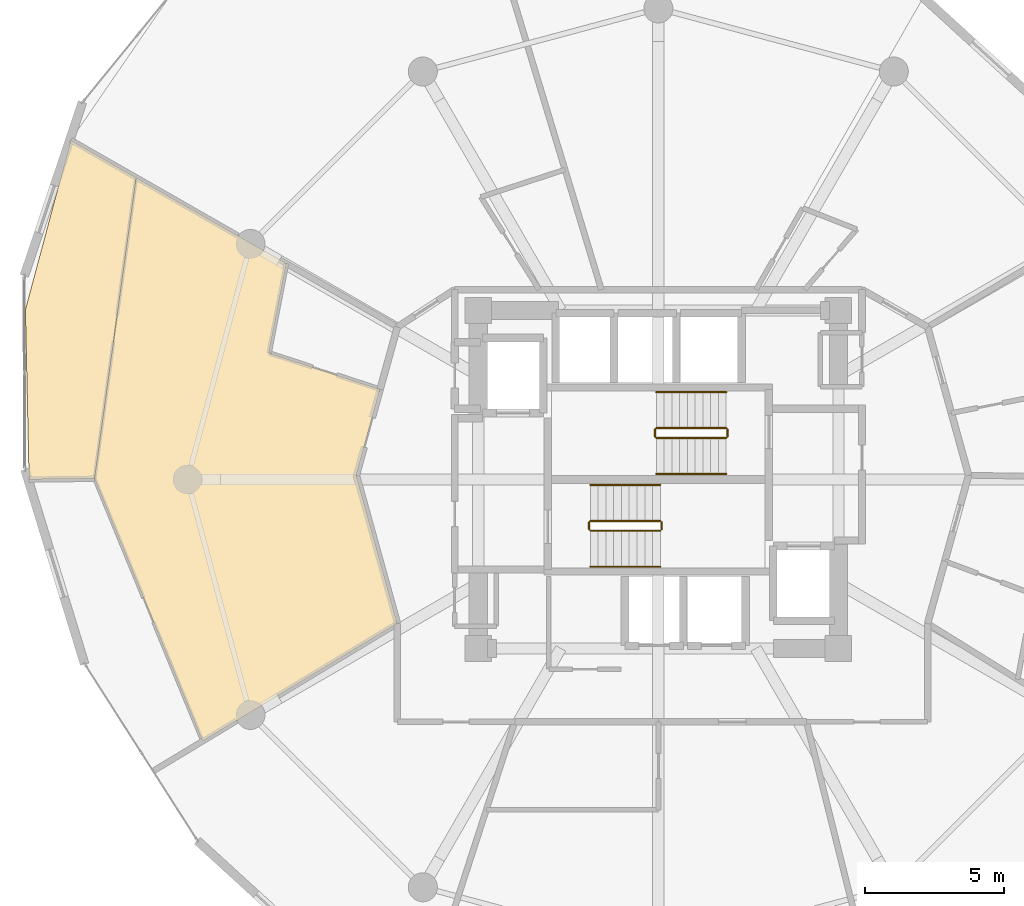
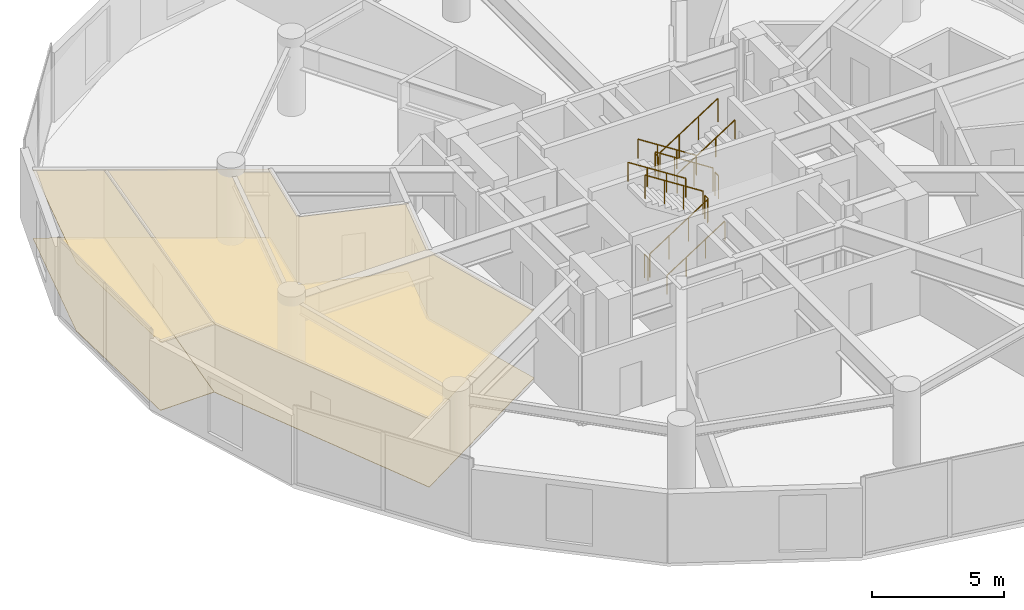
# One storey, part 21 of 22: 12 railings, 4 coverings.
"""IFC4 building model written with IfcOpenShell, lengths in metres."""

from ifc_helpers import new_model, si_unit, direction, frame, origin, origin_2d, place, context, subcontext, project, spatial, polyline, circle, outline, extrude, material, layer, layer_set, type_object, element, save


model = new_model("IFC4")

# Units and contexts
model_context = context("Model", 3, precision=1e-05, world=origin(), true_north=direction((0.0, 1.0)))
body_context = subcontext(model_context, "Body", "Model", "MODEL_VIEW")
ifc_project = project(units=[si_unit("LENGTHUNIT", "METRE"), si_unit("AREAUNIT", "SQUARE_METRE"), si_unit("VOLUMEUNIT", "CUBIC_METRE"), si_unit("PLANEANGLEUNIT", "RADIAN"), si_unit("MASSUNIT", "GRAM", prefix="KILO")], contexts=[model_context])

# Site, building, storey
site_placement = place(None, origin())
site = spatial("IfcSite", under=ifc_project, at=site_placement, CompositionType="ELEMENT")
building_placement = place(site_placement, origin())
building = spatial("IfcBuilding", under=site, at=building_placement, Name="Solvirekh Grand Hotel", CompositionType="ELEMENT")
storey_placement = place(building_placement, frame((0.0, 0.0, 160.199951171875)))
storey = spatial("IfcBuildingStorey", under=building, at=storey_placement, Name="L41", CompositionType="ELEMENT", Elevation=160.199951171875)

# Coverings
ifc_material_1 = material(Name="Acoustic Mineral Ceiling Tile")
ifc_layer_1 = layer(ifc_material_1, 0.02490234375)
ifc_layer_set_1 = layer_set([ifc_layer_1], Name="Acoustic Mineral Ceiling Tile")
covering_type_1 = type_object("IfcCoveringType", Name="Cov_Ceiling_Acoustic", PredefinedType="CEILING", material=ifc_layer_set_1)
covering_1_placement = place(storey_placement, frame((0.0, 0.0, 3.150146484375)))
element("IfcCovering", 1, at=covering_1_placement, inside=storey, type_object=covering_type_1, Name="L41 Executive Suite 4303 Living Room acoustic ceiling", PredefinedType="CEILING", context=body_context, shape_type="SweptSolid", body=[
    extrude(outline(polyline([(-14.052978515625, 4.56201171875), (-13.427001953125, 7.79296875), (-18.84912109375, 10.89501953125), (-20.35009765625, 0.030029296875), (-16.449951171875, -9.449951171875), (-9.419921875, -5.199951171875), (-10.89990234375, 0.14990234375), (-10.0419921875, 3.2529296875), (-14.052978515625, 4.56201171875)])), origin(), (0.0, 0.0, 1.0), 0.017822265625),
])
covering_2_placement = place(storey_placement, frame((0.0, 0.0, 3.150146484375)))
element("IfcCovering", 2, at=covering_2_placement, inside=storey, type_object=covering_type_1, Name="L41 Executive Suite 4303 Master Bedroom acoustic ceiling", PredefinedType="CEILING", context=body_context, shape_type="SweptSolid", body=[
    extrude(outline(polyline([(-21.2060546875, 12.243896484375), (-22.845947265625, 6.12109375), (-22.7119140625, 0.0), (-20.35009765625, 0.030029296875), (-18.84912109375, 10.89501953125), (-21.2060546875, 12.243896484375)])), origin(), (0.0, 0.0, 1.0), 0.017822265625),
])
ifc_material_2 = material(Name="Porcelain Stoneware Flooring", Category="masonry")
ifc_layer_2 = layer(ifc_material_2, 0.030029296875)
ifc_layer_set_2 = layer_set([ifc_layer_2], Name="Porcelain Stoneware Flooring")
covering_type_2 = type_object("IfcCoveringType", Name="Cov_Floor_Stone", PredefinedType="FLOORING", material=ifc_layer_set_2)
covering_3_placement = place(storey_placement, origin())
element("IfcCovering", 3, at=covering_3_placement, inside=storey, type_object=covering_type_2, Name="L41 Executive Suite 4303 Living Room polished granite flooring", PredefinedType="FLOORING", context=body_context, shape_type="SweptSolid", body=[
    extrude(outline(polyline([(-14.052978515625, 4.56201171875), (-13.427001953125, 7.79296875), (-18.84912109375, 10.89501953125), (-20.35009765625, 0.030029296875), (-16.449951171875, -9.449951171875), (-9.419921875, -5.199951171875), (-10.89990234375, 0.14990234375), (-10.0419921875, 3.2529296875), (-14.052978515625, 4.56201171875)])), origin(), (0.0, 0.0, 1.0), 0.02001953125),
])
covering_4_placement = place(storey_placement, origin())
element("IfcCovering", 4, at=covering_4_placement, inside=storey, type_object=covering_type_2, Name="L41 Executive Suite 4303 Master Bedroom polished granite flooring", PredefinedType="FLOORING", context=body_context, shape_type="SweptSolid", body=[
    extrude(outline(polyline([(-21.2060546875, 12.243896484375), (-22.845947265625, 6.12109375), (-22.7119140625, 0.0), (-20.35009765625, 0.030029296875), (-18.84912109375, 10.89501953125), (-21.2060546875, 12.243896484375)])), origin(), (0.0, 0.0, 1.0), 0.02001953125),
])

# Railings
ifc_material_3 = material(Name="Steel S355", Category="steel")
railing_type_1 = type_object("IfcRailingType", Name="Guard_Stair_1100", PredefinedType="GUARDRAIL", material=ifc_material_3)
railing_1_placement = place(storey_placement, frame((-2.449951171875, -1.85009765625, 0.179931640625)))
element("IfcRailing", 5, at=railing_1_placement, inside=storey, type_object=railing_type_1, Name="L41 ST-1 stair guard 1", PredefinedType="GUARDRAIL", context=body_context, shape_type="SweptSolid", body=[
    extrude(circle(Radius=0.02392578125, at=origin_2d()), frame((0.0, 0.0, 1.076171875), z_axis=(0.841162588446, 0.0, 0.540782303519), x_axis=(0.0, 1.0, 0.0)), (0.0, 0.0, 1.0), 2.995849609375),
    extrude(circle(Radius=0.02099609375, at=origin_2d()), origin(), (0.0, 0.0, 1.0), 1.052001953125),
    extrude(circle(Radius=0.02099609375, at=origin_2d()), frame((0.840087890625, 0.0, 0.5400390625)), (0.0, 0.0, 1.0), 1.052001953125),
    extrude(circle(Radius=0.02099609375, at=origin_2d()), frame((1.679931640625, 0.0, 1.080078125)), (0.0, 0.0, 1.0), 1.052001953125),
    extrude(circle(Radius=0.02099609375, at=origin_2d()), frame((2.52001953125, 0.0, 1.6201171875)), (0.0, 0.0, 1.0), 1.052001953125),
])
railing_2_placement = place(storey_placement, frame((0.1201171875, -1.800048828125, 1.800048828125)))
element("IfcRailing", 6, at=railing_2_placement, inside=storey, type_object=railing_type_1, Name="L41 ST-1 stair guard 2", PredefinedType="GUARDRAIL", context=body_context, shape_type="SweptSolid", body=[
    extrude(circle(Radius=0.02392578125, at=origin_2d()), frame((0.0, 0.0, 1.076171875), z_axis=(0.0, 1.0, 0.0), x_axis=(-1.0, 0.0, 0.0)), (0.0, 0.0, 1.0), 0.25),
    extrude(circle(Radius=0.02099609375, at=origin_2d()), origin(), (0.0, 0.0, 1.0), 1.052001953125),
    extrude(circle(Radius=0.02099609375, at=origin_2d()), frame((0.0, 0.25, 0.0)), (0.0, 0.0, 1.0), 1.052001953125),
])
railing_3_placement = place(storey_placement, frame((0.070068359375, -1.5, 1.97998046875)))
element("IfcRailing", 7, at=railing_3_placement, inside=storey, type_object=railing_type_1, Name="L41 ST-1 stair guard 3", PredefinedType="GUARDRAIL", context=body_context, shape_type="SweptSolid", body=[
    extrude(circle(Radius=0.02392578125, at=origin_2d()), frame((0.0, 0.0, 1.076171875), z_axis=(-0.841162588446, 0.0, 0.540782303519), x_axis=(0.0, -1.0, 0.0)), (0.0, 0.0, 1.0), 2.995849609375),
    extrude(circle(Radius=0.02099609375, at=origin_2d()), origin(), (0.0, 0.0, 1.0), 1.052001953125),
    extrude(circle(Radius=0.02099609375, at=origin_2d()), frame((-0.840087890625, 0.0, 0.5400390625)), (0.0, 0.0, 1.0), 1.052001953125),
    extrude(circle(Radius=0.02099609375, at=origin_2d()), frame((-1.679931640625, 0.0, 1.080078125)), (0.0, 0.0, 1.0), 1.052001953125),
    extrude(circle(Radius=0.02099609375, at=origin_2d()), frame((-2.52001953125, 0.0, 1.6201171875)), (0.0, 0.0, 1.0), 1.052001953125),
])
railing_4_placement = place(storey_placement, frame((-2.5, -1.800048828125, 0.0)))
element("IfcRailing", 8, at=railing_4_placement, inside=storey, type_object=railing_type_1, Name="L41 ST-1 stair guard 4", PredefinedType="GUARDRAIL", context=body_context, shape_type="SweptSolid", body=[
    extrude(circle(Radius=0.02392578125, at=origin_2d()), frame((0.0, 0.0, 1.076171875), z_axis=(0.0, 1.0, 0.0), x_axis=(-1.0, 0.0, 0.0)), (0.0, 0.0, 1.0), 0.25),
    extrude(circle(Radius=0.02099609375, at=origin_2d()), origin(), (0.0, 0.0, 1.0), 1.052001953125),
    extrude(circle(Radius=0.02099609375, at=origin_2d()), frame((0.0, 0.25, 0.0)), (0.0, 0.0, 1.0), 1.052001953125),
])
railing_5_placement = place(storey_placement, frame((2.449951171875, 1.85009765625, 0.179931640625)))
element("IfcRailing", 9, at=railing_5_placement, inside=storey, type_object=railing_type_1, Name="L41 ST-2 stair guard 1", PredefinedType="GUARDRAIL", context=body_context, shape_type="SweptSolid", body=[
    extrude(circle(Radius=0.02392578125, at=origin_2d()), frame((0.0, 0.0, 1.076171875), z_axis=(-0.841162588446, 0.0, 0.540782303519), x_axis=(0.0, -1.0, 0.0)), (0.0, 0.0, 1.0), 2.995849609375),
    extrude(circle(Radius=0.02099609375, at=origin_2d()), origin(), (0.0, 0.0, 1.0), 1.052001953125),
    extrude(circle(Radius=0.02099609375, at=origin_2d()), frame((-0.840087890625, 0.0, 0.5400390625)), (0.0, 0.0, 1.0), 1.052001953125),
    extrude(circle(Radius=0.02099609375, at=origin_2d()), frame((-1.679931640625, 0.0, 1.080078125)), (0.0, 0.0, 1.0), 1.052001953125),
    extrude(circle(Radius=0.02099609375, at=origin_2d()), frame((-2.52001953125, 0.0, 1.6201171875)), (0.0, 0.0, 1.0), 1.052001953125),
])
railing_6_placement = place(storey_placement, frame((-0.1201171875, 1.800048828125, 1.800048828125)))
element("IfcRailing", 10, at=railing_6_placement, inside=storey, type_object=railing_type_1, Name="L41 ST-2 stair guard 2", PredefinedType="GUARDRAIL", context=body_context, shape_type="SweptSolid", body=[
    extrude(circle(Radius=0.02392578125, at=origin_2d()), frame((0.0, 0.0, 1.076171875), z_axis=(0.0, -1.0, 0.0), x_axis=(1.0, 0.0, 0.0)), (0.0, 0.0, 1.0), 0.25),
    extrude(circle(Radius=0.02099609375, at=origin_2d()), origin(), (0.0, 0.0, 1.0), 1.052001953125),
    extrude(circle(Radius=0.02099609375, at=origin_2d()), frame((0.0, -0.25, 0.0)), (0.0, 0.0, 1.0), 1.052001953125),
])
railing_7_placement = place(storey_placement, frame((-0.070068359375, 1.5, 1.97998046875)))
element("IfcRailing", 11, at=railing_7_placement, inside=storey, type_object=railing_type_1, Name="L41 ST-2 stair guard 3", PredefinedType="GUARDRAIL", context=body_context, shape_type="SweptSolid", body=[
    extrude(circle(Radius=0.02392578125, at=origin_2d()), frame((0.0, 0.0, 1.076171875), z_axis=(0.841162588446, 0.0, 0.540782303519), x_axis=(0.0, 1.0, 0.0)), (0.0, 0.0, 1.0), 2.995849609375),
    extrude(circle(Radius=0.02099609375, at=origin_2d()), origin(), (0.0, 0.0, 1.0), 1.052001953125),
    extrude(circle(Radius=0.02099609375, at=origin_2d()), frame((0.840087890625, 0.0, 0.5400390625)), (0.0, 0.0, 1.0), 1.052001953125),
    extrude(circle(Radius=0.02099609375, at=origin_2d()), frame((1.679931640625, 0.0, 1.080078125)), (0.0, 0.0, 1.0), 1.052001953125),
    extrude(circle(Radius=0.02099609375, at=origin_2d()), frame((2.52001953125, 0.0, 1.6201171875)), (0.0, 0.0, 1.0), 1.052001953125),
])
railing_8_placement = place(storey_placement, frame((2.5, 1.800048828125, 0.0)))
element("IfcRailing", 12, at=railing_8_placement, inside=storey, type_object=railing_type_1, Name="L41 ST-2 stair guard 4", PredefinedType="GUARDRAIL", context=body_context, shape_type="SweptSolid", body=[
    extrude(circle(Radius=0.02392578125, at=origin_2d()), frame((0.0, 0.0, 1.076171875), z_axis=(0.0, -1.0, 0.0), x_axis=(1.0, 0.0, 0.0)), (0.0, 0.0, 1.0), 0.25),
    extrude(circle(Radius=0.02099609375, at=origin_2d()), origin(), (0.0, 0.0, 1.0), 1.052001953125),
    extrude(circle(Radius=0.02099609375, at=origin_2d()), frame((0.0, -0.25, 0.0)), (0.0, 0.0, 1.0), 1.052001953125),
])
ifc_material_4 = material(Name="Anodized Bronze Aluminium 6063-T6", Category="aluminium")
railing_type_2 = type_object("IfcRailingType", Name="Handrail_Wall_900", PredefinedType="HANDRAIL", material=ifc_material_4)
railing_9_placement = place(storey_placement, frame((-2.449951171875, -3.14990234375, 0.179931640625)))
element("IfcRailing", 13, at=railing_9_placement, inside=storey, type_object=railing_type_2, Name="L41 ST-1 stair handrail 1", PredefinedType="HANDRAIL", context=body_context, shape_type="SweptSolid", body=[
    extrude(circle(Radius=0.02392578125, at=origin_2d()), frame((0.0, 0.0, 0.8759765625), z_axis=(0.841162588446, 0.0, 0.540782303519), x_axis=(0.0, 1.0, 0.0)), (0.0, 0.0, 1.0), 2.995849609375),
    extrude(circle(Radius=0.02099609375, at=origin_2d()), origin(), (0.0, 0.0, 1.0), 0.851806640625),
    extrude(circle(Radius=0.02099609375, at=origin_2d()), frame((0.840087890625, 0.0, 0.5400390625)), (0.0, 0.0, 1.0), 0.851806640625),
    extrude(circle(Radius=0.02099609375, at=origin_2d()), frame((1.679931640625, 0.0, 1.080078125)), (0.0, 0.0, 1.0), 0.851806640625),
    extrude(circle(Radius=0.02099609375, at=origin_2d()), frame((2.52001953125, 0.0, 1.6201171875)), (0.0, 0.0, 1.0), 0.851806640625),
])
for number, where, name in (
    (14, (0.070068359375, -0.199951171875, 1.97998046875), "L41 ST-1 stair handrail 2"),
    (15, (2.449951171875, 3.14990234375, 0.179931640625), "L41 ST-2 stair handrail 1"),
):
    element("IfcRailing", number, at=place(storey_placement, frame(where)), inside=storey, type_object=railing_type_2, Name=name, PredefinedType="HANDRAIL", context=body_context, shape_type="SweptSolid", body=[
        extrude(circle(Radius=0.02392578125, at=origin_2d()), frame((0.0, 0.0, 0.8759765625), z_axis=(-0.841162588446, 0.0, 0.540782303519), x_axis=(0.0, -1.0, 0.0)), (0.0, 0.0, 1.0), 2.995849609375),
        extrude(circle(Radius=0.02099609375, at=origin_2d()), origin(), (0.0, 0.0, 1.0), 0.851806640625),
        extrude(circle(Radius=0.02099609375, at=origin_2d()), frame((-0.840087890625, 0.0, 0.5400390625)), (0.0, 0.0, 1.0), 0.851806640625),
        extrude(circle(Radius=0.02099609375, at=origin_2d()), frame((-1.679931640625, 0.0, 1.080078125)), (0.0, 0.0, 1.0), 0.851806640625),
        extrude(circle(Radius=0.02099609375, at=origin_2d()), frame((-2.52001953125, 0.0, 1.6201171875)), (0.0, 0.0, 1.0), 0.851806640625),
    ])
railing_10_placement = place(storey_placement, frame((-0.070068359375, 0.199951171875, 1.97998046875)))
element("IfcRailing", 16, at=railing_10_placement, inside=storey, type_object=railing_type_2, Name="L41 ST-2 stair handrail 2", PredefinedType="HANDRAIL", context=body_context, shape_type="SweptSolid", body=[
    extrude(circle(Radius=0.02392578125, at=origin_2d()), frame((0.0, 0.0, 0.8759765625), z_axis=(0.841162588446, 0.0, 0.540782303519), x_axis=(0.0, 1.0, 0.0)), (0.0, 0.0, 1.0), 2.995849609375),
    extrude(circle(Radius=0.02099609375, at=origin_2d()), origin(), (0.0, 0.0, 1.0), 0.851806640625),
    extrude(circle(Radius=0.02099609375, at=origin_2d()), frame((0.840087890625, 0.0, 0.5400390625)), (0.0, 0.0, 1.0), 0.851806640625),
    extrude(circle(Radius=0.02099609375, at=origin_2d()), frame((1.679931640625, 0.0, 1.080078125)), (0.0, 0.0, 1.0), 0.851806640625),
    extrude(circle(Radius=0.02099609375, at=origin_2d()), frame((2.52001953125, 0.0, 1.6201171875)), (0.0, 0.0, 1.0), 0.851806640625),
])

save(model, "model.ifc")
